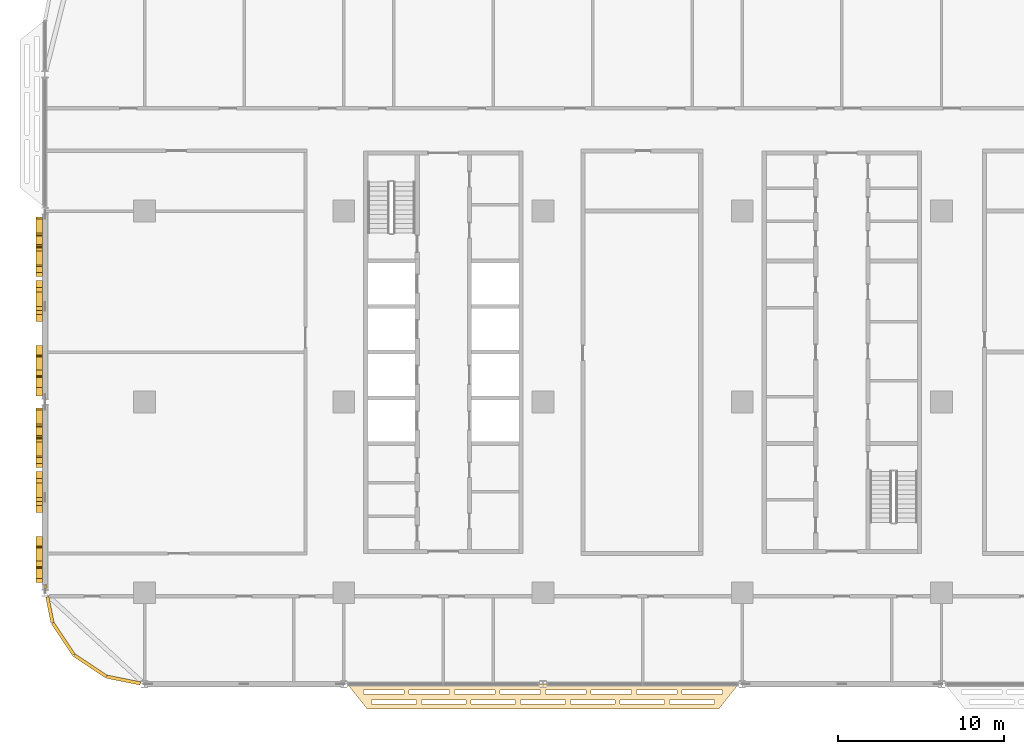
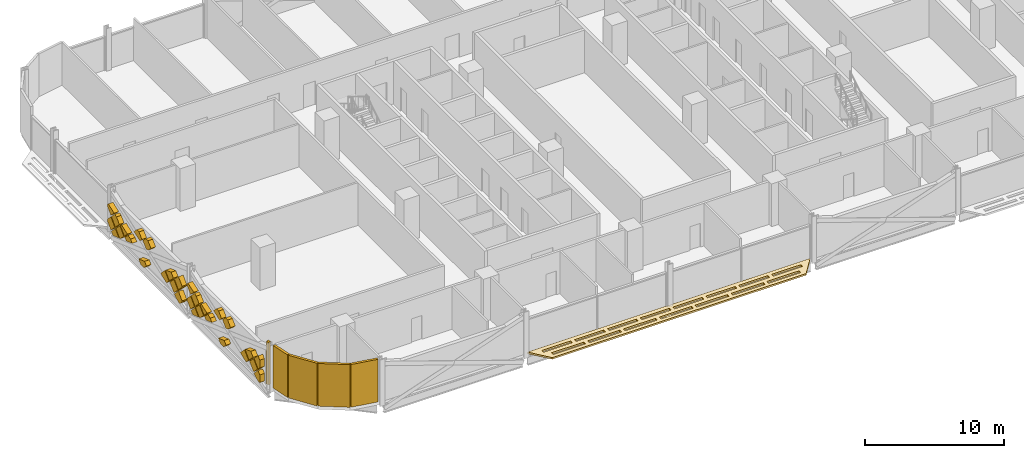
# One storey, part 25 of 29: 36 coverings.
"""IFC4 building model written with IfcOpenShell, lengths in metres."""

from ifc_helpers import new_model, si_unit, direction, frame, origin, origin_2d, place, context, subcontext, project, spatial, polyline, rectangle, outline, extrude, material, layer, layer_set, type_object, element, save


model = new_model("IFC4")

# Units and contexts
model_context = context("Model", 3, precision=1e-05, world=origin(), true_north=direction((0.0, 1.0)))
body_context = subcontext(model_context, "Body", "Model", "MODEL_VIEW")
ifc_project = project(units=[si_unit("LENGTHUNIT", "METRE"), si_unit("AREAUNIT", "SQUARE_METRE"), si_unit("VOLUMEUNIT", "CUBIC_METRE"), si_unit("PLANEANGLEUNIT", "RADIAN"), si_unit("MASSUNIT", "GRAM", prefix="KILO")], contexts=[model_context])

# Site, building, storey
site_placement = place(None, origin())
site = spatial("IfcSite", under=ifc_project, at=site_placement, CompositionType="ELEMENT")
building_placement = place(site_placement, origin())
building = spatial("IfcBuilding", under=site, at=building_placement, Name="Mahtab Terrace Research Tower", CompositionType="ELEMENT")
storey_placement = place(building_placement, frame((0.0, 0.0, 142.5)))
storey = spatial("IfcBuildingStorey", under=building, at=storey_placement, Name="L33", CompositionType="ELEMENT", Elevation=142.5)

# Coverings
ifc_material_1 = material(Name="Black aluminium cladding panel", Category="aluminium")
ifc_layer_1 = layer(ifc_material_1, 0.199951171875)
ifc_layer_set_1 = layer_set([ifc_layer_1], Name="Black metal corner cladding 200")
covering_type_1 = type_object("IfcCoveringType", Name="Black metal corner cladding 200", PredefinedType="CLADDING", material=ifc_layer_set_1)
covering_1_placement = place(storey_placement, frame((-47.97607421875, -11.11962890625, 0.0), z_axis=(0.0, 0.0, 1.0), x_axis=(0.195212442692, -0.980760981187, 0.0)))
element("IfcCovering", 1, at=covering_1_placement, inside=storey, type_object=covering_type_1, Name="Corner cladding L33 19", PredefinedType="CLADDING", context=body_context, shape_type="SweptSolid", body=[
    extrude(rectangle(XDim=0.22412109375, YDim=0.199951171875, at=origin_2d()), origin(), (0.0, 0.0, 1.0), 3.760009765625),
])
covering_2_placement = place(storey_placement, frame((-47.700439453125, -12.50439453125, 0.0), z_axis=(0.0, 0.0, 1.0), x_axis=(0.195212442692, -0.980760981187, 0.0)))
element("IfcCovering", 2, at=covering_2_placement, inside=storey, type_object=covering_type_1, Name="Corner cladding L33 20", PredefinedType="CLADDING", context=body_context, shape_type="SweptSolid", body=[
    extrude(rectangle(XDim=1.574462890625, YDim=0.199951171875, at=origin_2d()), origin(), (0.0, 0.0, 1.0), 3.760009765625),
])
for number, where, z_axis, x_axis, name in (
    (3, (-46.89306640625, -14.26953125, 0.0), (0.0, 0.0, 1.0), (0.555291490808, -0.831655794326, 0.0), "Corner cladding L33 21"),
    (4, (-45.26953125, -15.89306640625, 0.0), (0.0, 0.0, 1.0), (0.831655794326, -0.555291490808, 0.0), "Corner cladding L33 22"),
):
    element("IfcCovering", number, at=place(storey_placement, frame(where, z_axis=z_axis, x_axis=x_axis)), inside=storey, type_object=covering_type_1, Name=name, PredefinedType="CLADDING", context=body_context, shape_type="SweptSolid", body=[
        extrude(rectangle(XDim=2.30126953125, YDim=0.199951171875, at=origin_2d()), origin(), (0.0, 0.0, 1.0), 3.760009765625),
    ])
covering_3_placement = place(storey_placement, frame((-43.263916015625, -16.74853515625, 0.0), z_axis=(0.0, 0.0, 1.0), x_axis=(0.980760981187, -0.195212442692, 0.0)))
element("IfcCovering", 5, at=covering_3_placement, inside=storey, type_object=covering_type_1, Name="Corner cladding L33 23", PredefinedType="CLADDING", context=body_context, shape_type="SweptSolid", body=[
    extrude(rectangle(XDim=2.064697265625, YDim=0.199951171875, at=origin_2d()), origin(), (0.0, 0.0, 1.0), 3.760009765625),
])
ifc_material_2 = material(Name="Black anodised aluminium", Category="aluminium")
ifc_layer_2 = layer(ifc_material_2, 0.14990234375)
ifc_layer_set_2 = layer_set([ifc_layer_2], Name="Horizontal sunshade band")
covering_type_2 = type_object("IfcCoveringType", Name="Horizontal sunshade band", PredefinedType="CLADDING", material=ifc_layer_set_2)
covering_4_placement = place(storey_placement, frame((0.0, 0.0, -0.14990234375)))
element("IfcCovering", 6, at=covering_4_placement, inside=storey, type_object=covering_type_2, Name="Sunshade band L33 25", PredefinedType="CLADDING", context=body_context, shape_type="SweptSolid", body=[
    extrude(outline(polyline([(-29.781982421875, -17.0), (-6.218017578125, -17.0), (-7.41796875, -18.5), (-28.58203125, -18.5), (-29.781982421875, -17.0)]), holes=[polyline([(-28.802001953125, -17.35009765625), (-26.364013671875, -17.35009765625), (-26.364013671875, -17.60009765625), (-28.802001953125, -17.60009765625), (-28.802001953125, -17.35009765625)]), polyline([(-26.06396484375, -17.35009765625), (-23.6259765625, -17.35009765625), (-23.6259765625, -17.60009765625), (-26.06396484375, -17.60009765625), (-26.06396484375, -17.35009765625)]), polyline([(-23.325927734375, -17.35009765625), (-20.887939453125, -17.35009765625), (-20.887939453125, -17.60009765625), (-23.325927734375, -17.60009765625), (-23.325927734375, -17.35009765625)]), polyline([(-20.587890625, -17.35009765625), (-18.14990234375, -17.35009765625), (-18.14990234375, -17.60009765625), (-20.587890625, -17.60009765625), (-20.587890625, -17.35009765625)]), polyline([(-17.85009765625, -17.35009765625), (-15.412109375, -17.35009765625), (-15.412109375, -17.60009765625), (-17.85009765625, -17.60009765625), (-17.85009765625, -17.35009765625)]), polyline([(-15.112060546875, -17.35009765625), (-12.674072265625, -17.35009765625), (-12.674072265625, -17.60009765625), (-15.112060546875, -17.60009765625), (-15.112060546875, -17.35009765625)]), polyline([(-12.3740234375, -17.35009765625), (-9.93603515625, -17.35009765625), (-9.93603515625, -17.60009765625), (-12.3740234375, -17.60009765625), (-12.3740234375, -17.35009765625)]), polyline([(-9.635986328125, -17.35009765625), (-7.197998046875, -17.35009765625), (-7.197998046875, -17.60009765625), (-9.635986328125, -17.60009765625), (-9.635986328125, -17.35009765625)]), polyline([(-28.322021484375, -17.949951171875), (-25.6298828125, -17.949951171875), (-25.6298828125, -18.199951171875), (-28.322021484375, -18.199951171875), (-28.322021484375, -17.949951171875)]), polyline([(-25.330078125, -17.949951171875), (-22.637939453125, -17.949951171875), (-22.637939453125, -18.199951171875), (-25.330078125, -18.199951171875), (-25.330078125, -17.949951171875)]), polyline([(-22.337890625, -17.949951171875), (-19.64599609375, -17.949951171875), (-19.64599609375, -18.199951171875), (-22.337890625, -18.199951171875), (-22.337890625, -17.949951171875)]), polyline([(-19.345947265625, -17.949951171875), (-16.654052734375, -17.949951171875), (-16.654052734375, -18.199951171875), (-19.345947265625, -18.199951171875), (-19.345947265625, -17.949951171875)]), polyline([(-16.35400390625, -17.949951171875), (-13.662109375, -17.949951171875), (-13.662109375, -18.199951171875), (-16.35400390625, -18.199951171875), (-16.35400390625, -17.949951171875)]), polyline([(-13.362060546875, -17.949951171875), (-10.669921875, -17.949951171875), (-10.669921875, -18.199951171875), (-13.362060546875, -18.199951171875), (-13.362060546875, -17.949951171875)]), polyline([(-10.3701171875, -17.949951171875), (-7.677978515625, -17.949951171875), (-7.677978515625, -18.199951171875), (-10.3701171875, -18.199951171875), (-10.3701171875, -17.949951171875)])]), origin(), (0.0, 0.0, 1.0), 0.14990234375),
])
ifc_material_3 = material(Name="Bronze anodised aluminium", Category="aluminium")
ifc_layer_3 = layer(ifc_material_3, 0.39990234375)
ifc_layer_set_3 = layer_set([ifc_layer_3], Name="Mashrabiya relief panel 400")
covering_type_3 = type_object("IfcCoveringType", Name="Mashrabiya relief panel 400", PredefinedType="CLADDING", material=ifc_layer_set_3)
covering_5_placement = place(storey_placement, frame((-48.14990234375, 10.632080078125, 1.72998046875), z_axis=(1.0, 0.0, 0.0), x_axis=(0.0, -0.707106781187, -0.707106781187)))
element("IfcCovering", 7, at=covering_5_placement, inside=storey, type_object=covering_type_3, Name="Mashrabiya lattice cell L33 W17.1", PredefinedType="CLADDING", context=body_context, shape_type="SweptSolid", body=[
    extrude(outline(polyline([(0.0, 0.0), (0.8203543516109556, 0.0), (0.820181718119455, 0.820181718119455), (0.0920136509698315, 0.820181718119455), (0.0, 0.7281680671496235), (0.0, 0.0)])), origin(), (0.0, 0.0, -1.0), 0.39990234375),
])
covering_6_placement = place(storey_placement, frame((-48.14990234375, 10.632080078125, 1.8701171875), z_axis=(1.0, 0.0, 0.0), x_axis=(0.0, 0.707106781187, 0.707106781187)))
element("IfcCovering", 8, at=covering_6_placement, inside=storey, type_object=covering_type_3, Name="Mashrabiya lattice cell L33 W17.2", PredefinedType="CLADDING", context=body_context, shape_type="SweptSolid", body=[
    extrude(outline(polyline([(0.0, 0.0), (0.7281680671496235, 0.0), (0.8200090846279544, 0.0918410174783309), (0.820181718119455, 0.27155248213047833), (-0.0001726334915006511, 0.660323104989879), (0.0, 0.0)])), origin(), (0.0, 0.0, -1.0), 0.39990234375),
])
covering_7_placement = place(storey_placement, frame((-48.14990234375, 10.56201171875, 0.5), z_axis=(1.0, 0.0, 0.0), x_axis=(0.0, -0.707106781187, 0.707106781187)))
element("IfcCovering", 9, at=covering_7_placement, inside=storey, type_object=covering_type_3, Name="Mashrabiya lattice cell L33 W17.3", PredefinedType="CLADDING", context=body_context, shape_type="SweptSolid", body=[
    extrude(outline(polyline([(0.0, 0.0), (0.8203543516109556, 0.0), (0.8201817181194551, 0.718327958134088), (0.0, 0.3293847017831867), (0.0, 0.0)])), origin(), (0.0, 0.0, -1.0), 0.39990234375),
])
covering_8_placement = place(storey_placement, frame((-48.14990234375, 9.402099609375, 1.800048828125), z_axis=(1.0, 0.0, 0.0), x_axis=(0.0, 0.706957932274, -0.707255598772)))
element("IfcCovering", 10, at=covering_8_placement, inside=storey, type_object=covering_type_3, Name="Mashrabiya lattice cell L33 W17.4", PredefinedType="CLADDING", context=body_context, shape_type="SweptSolid", body=[
    extrude(outline(polyline([(0.0, 0.0), (0.8201817362875763, 0.0), (0.8200090664636573, 0.8203543334390104), (0.11152123303905742, 0.8202052095001713), (-0.0001228891718211278, 0.583846455322124), (0.0, 0.0)])), origin(), (0.0, 0.0, -1.0), 0.39990234375),
])
covering_9_placement = place(storey_placement, frame((-48.14990234375, 9.912109375, 1.14990234375), z_axis=(1.0, 0.0, 0.0), x_axis=(0.0, -0.707106781187, 0.707106781187)))
element("IfcCovering", 11, at=covering_9_placement, inside=storey, type_object=covering_type_3, Name="Mashrabiya lattice cell L33 W17.5", PredefinedType="CLADDING", context=body_context, shape_type="SweptSolid", body=[
    extrude(outline(polyline([(0.0, 0.0), (0.8203543516109556, 0.0), (0.8203543516109556, 0.8203543516109556), (0.11618233977991854, 0.820181718119455), (0.0, 0.7651116343307566), (0.0, 0.0)])), origin(), (0.0, 0.0, -1.0), 0.39990234375),
])
covering_10_placement = place(storey_placement, frame((-48.14990234375, 8.681884765625, 1.219970703125), z_axis=(1.0, 0.0, 0.0), x_axis=(0.0, 0.707106781187, 0.707106781187)))
element("IfcCovering", 12, at=covering_10_placement, inside=storey, type_object=covering_type_3, Name="Mashrabiya lattice cell L33 W17.6", PredefinedType="CLADDING", context=body_context, shape_type="SweptSolid", body=[
    extrude(outline(polyline([(0.0, 0.0), (0.8203543516109556, 0.0), (0.8203543516109557, 0.22476880593380982), (0.0001726334915006511, 0.6137120622847111), (0.0, 0.0)])), origin(), (0.0, 0.0, -1.0), 0.39990234375),
])
covering_11_placement = place(storey_placement, frame((-48.14990234375, 8.612060546875, 1.14990234375), z_axis=(1.0, 0.0, 0.0), x_axis=(0.0, -0.707106781187, 0.707106781187)))
element("IfcCovering", 13, at=covering_11_placement, inside=storey, type_object=covering_type_3, Name="Mashrabiya lattice cell L33 W17.7", PredefinedType="CLADDING", context=body_context, shape_type="SweptSolid", body=[
    extrude(outline(polyline([(0.0, 0.0), (0.6604957384813797, 0.0), (0.8203543516109556, 0.3366353084262129), (0.8203543516109556, 0.6718895489204207), (0.0, 0.28277365907801877), (0.0, 0.0)])), origin(), (0.0, 0.0, -1.0), 0.39990234375),
])
covering_12_placement = place(storey_placement, frame((-48.14990234375, 6.152099609375, 2.449951171875), z_axis=(1.0, 0.0, 0.0), x_axis=(0.0, 0.706818929897, -0.707394515345)))
element("IfcCovering", 14, at=covering_12_placement, inside=storey, type_object=covering_type_3, Name="Mashrabiya lattice cell L33 W17.8", PredefinedType="CLADDING", context=body_context, shape_type="SweptSolid", body=[
    extrude(outline(polyline([(0.0, 0.0), (0.42416052374797736, 0.0), (0.8125972298802487, 0.8205125134540173), (0.22875080998202785, 0.820274887723493), (-0.00024057673013461178, 0.591097025940718), (0.0, 0.0)])), origin(), (0.0, 0.0, -1.0), 0.39990234375),
])
covering_13_placement = place(storey_placement, frame((-48.14990234375, 6.616943359375, 0.455078125), z_axis=(1.0, 0.0, 0.0), x_axis=(0.0, -0.942348475632, 0.334633158061)))
element("IfcCovering", 15, at=covering_13_placement, inside=storey, type_object=covering_type_3, Name="Mashrabiya lattice cell L33 W17.9", PredefinedType="CLADDING", context=body_context, shape_type="SweptSolid", body=[
    extrude(outline(polyline([(0.0, 0.0), (0.9083232513066526, 0.0), (1.0657416966052107, 0.33078064290731984), (0.5996558708309948, 0.5525907991008585), (0.19428037911621765, 0.4086397188998039), (0.0, 0.0)])), origin(), (0.0, 0.0, -1.0), 0.39990234375),
])
covering_14_placement = place(storey_placement, frame((-48.14990234375, 6.011962890625, 2.449951171875), z_axis=(1.0, 0.0, 0.0), x_axis=(0.0, -0.707106781187, 0.707106781187)))
element("IfcCovering", 16, at=covering_14_placement, inside=storey, type_object=covering_type_3, Name="Mashrabiya lattice cell L33 W17.10", PredefinedType="CLADDING", context=body_context, shape_type="SweptSolid", body=[
    extrude(outline(polyline([(0.0, 0.0), (0.5910970748981296, 0.0), (0.8201817181194548, 0.22908464322132532), (0.820181718119455, 0.820181718119455), (0.3140203210396314, 0.820181718119455), (0.0, 0.6715442819374194), (0.0, 0.0)])), origin(), (0.0, 0.0, -1.0), 0.39990234375),
])
covering_15_placement = place(storey_placement, frame((-48.14990234375, 3.412109375, 1.14990234375), z_axis=(1.0, 0.0, 0.0), x_axis=(0.0, -0.707106781187, 0.707106781187)))
element("IfcCovering", 17, at=covering_15_placement, inside=storey, type_object=covering_type_3, Name="Mashrabiya lattice cell L33 W17.11", PredefinedType="CLADDING", context=body_context, shape_type="SweptSolid", body=[
    extrude(outline(polyline([(0.0, 0.0), (0.8203543516109556, 0.0), (0.8203543516109556, 0.8203543516109556), (0.3014180761600859, 0.8203543516109555), (0.00017263349150062335, 0.18523573638016738), (0.0, 0.0)])), origin(), (0.0, 0.0, -1.0), 0.39990234375),
])
covering_16_placement = place(storey_placement, frame((-48.14990234375, 1.60205078125, 1.800048828125), z_axis=(1.0, 0.0, 0.0), x_axis=(0.0, 0.706957932274, -0.707255598772)))
element("IfcCovering", 18, at=covering_16_placement, inside=storey, type_object=covering_type_3, Name="Mashrabiya lattice cell L33 W17.12", PredefinedType="CLADDING", context=body_context, shape_type="SweptSolid", body=[
    extrude(outline(polyline([(0.0, 0.0), (0.8201817362875763, 0.0), (0.8200090664636573, 0.8203543334390104), (0.7564799429986835, 0.8203409617018046), (-9.701776722720323e-05, 0.4609314120964137), (0.0, 0.0)])), origin(), (0.0, 0.0, -1.0), 0.39990234375),
])
covering_17_placement = place(storey_placement, frame((-48.14990234375, 1.531982421875, 1.72998046875), z_axis=(1.0, 0.0, 0.0), x_axis=(0.0, -0.707106781187, -0.707106781187)))
element("IfcCovering", 19, at=covering_17_placement, inside=storey, type_object=covering_type_3, Name="Mashrabiya lattice cell L33 W17.13", PredefinedType="CLADDING", context=body_context, shape_type="SweptSolid", body=[
    extrude(outline(polyline([(0.0, 0.0), (0.8203543516109556, 0.0), (0.820181718119455, 0.820181718119455), (0.0, 0.8203543516109556), (0.0, 0.0)])), origin(), (0.0, 0.0, -1.0), 0.39990234375),
])
covering_18_placement = place(storey_placement, frame((-48.14990234375, 1.4619140625, 0.5), z_axis=(1.0, 0.0, 0.0), x_axis=(0.0, -0.706957932274, 0.707255598772)))
element("IfcCovering", 20, at=covering_18_placement, inside=storey, type_object=covering_type_3, Name="Mashrabiya lattice cell L33 W17.14", PredefinedType="CLADDING", context=body_context, shape_type="SweptSolid", body=[
    extrude(outline(polyline([(0.0, 0.0), (0.8201817362875763, 0.0), (0.8200242550129835, 0.7481935355902086), (0.7478482686148555, 0.8203391448896843), (0.3038349383107446, 0.8202456880742129), (0.20907910217339504, 0.7254499547427002), (-5.98094550022521e-05, 0.28415472071561687), (0.0, 0.0)])), origin(), (0.0, 0.0, -1.0), 0.39990234375),
])
covering_19_placement = place(storey_placement, frame((-48.14990234375, 0.882080078125, 1.219970703125), z_axis=(1.0, 0.0, 0.0), x_axis=(0.0, 0.706957932274, 0.707255598772)))
element("IfcCovering", 21, at=covering_19_placement, inside=storey, type_object=covering_type_3, Name="Mashrabiya lattice cell L33 W17.15", PredefinedType="CLADDING", context=body_context, shape_type="SweptSolid", body=[
    extrude(outline(polyline([(0.0, 0.0), (0.8201817362875763, 0.0), (0.8203543334390104, 0.8200090664636573), (0.07233346767272081, 0.8203391448896843), (0.0001574812745928078, 0.7481935355902086), (0.0, 0.0)])), origin(), (0.0, 0.0, -1.0), 0.39990234375),
])
covering_20_placement = place(storey_placement, frame((-48.14990234375, -0.867919921875, 1.72998046875), z_axis=(1.0, 0.0, 0.0), x_axis=(0.0, -0.707106781187, -0.707106781187)))
element("IfcCovering", 22, at=covering_20_placement, inside=storey, type_object=covering_type_3, Name="Mashrabiya lattice cell L33 W18.1", PredefinedType="CLADDING", context=body_context, shape_type="SweptSolid", body=[
    extrude(outline(polyline([(0.0, 0.0), (0.8203543516109556, 0.0), (0.820181718119455, 0.820181718119455), (0.0920136509698315, 0.820181718119455), (0.0, 0.7281680671496235), (0.0, 0.0)])), origin(), (0.0, 0.0, -1.0), 0.39990234375),
])
covering_21_placement = place(storey_placement, frame((-48.14990234375, -0.867919921875, 1.8701171875), z_axis=(1.0, 0.0, 0.0), x_axis=(0.0, 0.707106781187, 0.707106781187)))
element("IfcCovering", 23, at=covering_21_placement, inside=storey, type_object=covering_type_3, Name="Mashrabiya lattice cell L33 W18.2", PredefinedType="CLADDING", context=body_context, shape_type="SweptSolid", body=[
    extrude(outline(polyline([(0.0, 0.0), (0.7281680671496235, 0.0), (0.8200090846279544, 0.0918410174783309), (0.820181718119455, 0.27155248213047833), (-0.0001726334915006511, 0.660323104989879), (0.0, 0.0)])), origin(), (0.0, 0.0, -1.0), 0.39990234375),
])
covering_22_placement = place(storey_placement, frame((-48.14990234375, -0.93798828125, 0.5), z_axis=(1.0, 0.0, 0.0), x_axis=(0.0, -0.707106781187, 0.707106781187)))
element("IfcCovering", 24, at=covering_22_placement, inside=storey, type_object=covering_type_3, Name="Mashrabiya lattice cell L33 W18.3", PredefinedType="CLADDING", context=body_context, shape_type="SweptSolid", body=[
    extrude(outline(polyline([(0.0, 0.0), (0.8203543516109556, 0.0), (0.8201817181194551, 0.718327958134088), (0.0, 0.3293847017831867), (0.0, 0.0)])), origin(), (0.0, 0.0, -1.0), 0.39990234375),
])
covering_23_placement = place(storey_placement, frame((-48.14990234375, -2.097900390625, 1.800048828125), z_axis=(1.0, 0.0, 0.0), x_axis=(0.0, 0.706957932274, -0.707255598772)))
element("IfcCovering", 25, at=covering_23_placement, inside=storey, type_object=covering_type_3, Name="Mashrabiya lattice cell L33 W18.4", PredefinedType="CLADDING", context=body_context, shape_type="SweptSolid", body=[
    extrude(outline(polyline([(0.0, 0.0), (0.8201817362875763, 0.0), (0.8200090664636573, 0.8203543334390104), (0.11152123303905742, 0.8202052095001713), (-0.0001228891718211278, 0.583846455322124), (0.0, 0.0)])), origin(), (0.0, 0.0, -1.0), 0.39990234375),
])
covering_24_placement = place(storey_placement, frame((-48.14990234375, -1.587890625, 1.14990234375), z_axis=(1.0, 0.0, 0.0), x_axis=(0.0, -0.707106781187, 0.707106781187)))
element("IfcCovering", 26, at=covering_24_placement, inside=storey, type_object=covering_type_3, Name="Mashrabiya lattice cell L33 W18.5", PredefinedType="CLADDING", context=body_context, shape_type="SweptSolid", body=[
    extrude(outline(polyline([(0.0, 0.0), (0.8203543516109556, 0.0), (0.8203543516109556, 0.8203543516109556), (0.11618233977991854, 0.820181718119455), (0.0, 0.7651116343307566), (0.0, 0.0)])), origin(), (0.0, 0.0, -1.0), 0.39990234375),
])
covering_25_placement = place(storey_placement, frame((-48.14990234375, -2.818115234375, 1.219970703125), z_axis=(1.0, 0.0, 0.0), x_axis=(0.0, 0.707106781187, 0.707106781187)))
element("IfcCovering", 27, at=covering_25_placement, inside=storey, type_object=covering_type_3, Name="Mashrabiya lattice cell L33 W18.6", PredefinedType="CLADDING", context=body_context, shape_type="SweptSolid", body=[
    extrude(outline(polyline([(0.0, 0.0), (0.8203543516109556, 0.0), (0.8203543516109557, 0.22476880593380982), (0.0001726334915006511, 0.6137120622847111), (0.0, 0.0)])), origin(), (0.0, 0.0, -1.0), 0.39990234375),
])
covering_26_placement = place(storey_placement, frame((-48.14990234375, -2.887939453125, 1.14990234375), z_axis=(1.0, 0.0, 0.0), x_axis=(0.0, -0.707106781187, 0.707106781187)))
element("IfcCovering", 28, at=covering_26_placement, inside=storey, type_object=covering_type_3, Name="Mashrabiya lattice cell L33 W18.7", PredefinedType="CLADDING", context=body_context, shape_type="SweptSolid", body=[
    extrude(outline(polyline([(0.0, 0.0), (0.6604957384813797, 0.0), (0.8203543516109556, 0.3366353084262129), (0.8203543516109556, 0.6718895489204207), (0.0, 0.28277365907801877), (0.0, 0.0)])), origin(), (0.0, 0.0, -1.0), 0.39990234375),
])
covering_27_placement = place(storey_placement, frame((-48.14990234375, -5.347900390625, 2.449951171875), z_axis=(1.0, 0.0, 0.0), x_axis=(0.0, 0.706818929897, -0.707394515345)))
element("IfcCovering", 29, at=covering_27_placement, inside=storey, type_object=covering_type_3, Name="Mashrabiya lattice cell L33 W18.8", PredefinedType="CLADDING", context=body_context, shape_type="SweptSolid", body=[
    extrude(outline(polyline([(0.0, 0.0), (0.42416052374797736, 0.0), (0.8125972298802487, 0.8205125134540173), (0.22875080998202785, 0.820274887723493), (-0.00024057673013461178, 0.591097025940718), (0.0, 0.0)])), origin(), (0.0, 0.0, -1.0), 0.39990234375),
])
covering_28_placement = place(storey_placement, frame((-48.14990234375, -4.883056640625, 0.455078125), z_axis=(1.0, 0.0, 0.0), x_axis=(0.0, -0.942348475632, 0.334633158061)))
element("IfcCovering", 30, at=covering_28_placement, inside=storey, type_object=covering_type_3, Name="Mashrabiya lattice cell L33 W18.9", PredefinedType="CLADDING", context=body_context, shape_type="SweptSolid", body=[
    extrude(outline(polyline([(0.0, 0.0), (0.9083232513066526, 0.0), (1.0657416966052107, 0.33078064290731984), (0.5996558708309948, 0.5525907991008585), (0.19428037911621765, 0.4086397188998039), (0.0, 0.0)])), origin(), (0.0, 0.0, -1.0), 0.39990234375),
])
covering_29_placement = place(storey_placement, frame((-48.14990234375, -5.488037109375, 2.449951171875), z_axis=(1.0, 0.0, 0.0), x_axis=(0.0, -0.707106781187, 0.707106781187)))
element("IfcCovering", 31, at=covering_29_placement, inside=storey, type_object=covering_type_3, Name="Mashrabiya lattice cell L33 W18.10", PredefinedType="CLADDING", context=body_context, shape_type="SweptSolid", body=[
    extrude(outline(polyline([(0.0, 0.0), (0.5910970748981296, 0.0), (0.8201817181194548, 0.22908464322132532), (0.820181718119455, 0.820181718119455), (0.3140203210396314, 0.820181718119455), (0.0, 0.6715442819374194), (0.0, 0.0)])), origin(), (0.0, 0.0, -1.0), 0.39990234375),
])
covering_30_placement = place(storey_placement, frame((-48.14990234375, -8.087890625, 1.14990234375), z_axis=(1.0, 0.0, 0.0), x_axis=(0.0, -0.707106781187, 0.707106781187)))
element("IfcCovering", 32, at=covering_30_placement, inside=storey, type_object=covering_type_3, Name="Mashrabiya lattice cell L33 W18.11", PredefinedType="CLADDING", context=body_context, shape_type="SweptSolid", body=[
    extrude(outline(polyline([(0.0, 0.0), (0.8203543516109556, 0.0), (0.8203543516109556, 0.8203543516109556), (0.3014180761600859, 0.8203543516109555), (0.00017263349150062335, 0.18523573638016738), (0.0, 0.0)])), origin(), (0.0, 0.0, -1.0), 0.39990234375),
])
covering_31_placement = place(storey_placement, frame((-48.14990234375, -9.89794921875, 1.800048828125), z_axis=(1.0, 0.0, 0.0), x_axis=(0.0, 0.706957932274, -0.707255598772)))
element("IfcCovering", 33, at=covering_31_placement, inside=storey, type_object=covering_type_3, Name="Mashrabiya lattice cell L33 W18.12", PredefinedType="CLADDING", context=body_context, shape_type="SweptSolid", body=[
    extrude(outline(polyline([(0.0, 0.0), (0.8201817362875763, 0.0), (0.8200090664636573, 0.8203543334390104), (0.7564799429986835, 0.8203409617018046), (-9.701776722720323e-05, 0.4609314120964137), (0.0, 0.0)])), origin(), (0.0, 0.0, -1.0), 0.39990234375),
])
covering_32_placement = place(storey_placement, frame((-48.14990234375, -9.968017578125, 1.72998046875), z_axis=(1.0, 0.0, 0.0), x_axis=(0.0, -0.707106781187, -0.707106781187)))
element("IfcCovering", 34, at=covering_32_placement, inside=storey, type_object=covering_type_3, Name="Mashrabiya lattice cell L33 W18.13", PredefinedType="CLADDING", context=body_context, shape_type="SweptSolid", body=[
    extrude(outline(polyline([(0.0, 0.0), (0.8203543516109556, 0.0), (0.820181718119455, 0.820181718119455), (0.0, 0.8203543516109556), (0.0, 0.0)])), origin(), (0.0, 0.0, -1.0), 0.39990234375),
])
covering_33_placement = place(storey_placement, frame((-48.14990234375, -10.0380859375, 0.5), z_axis=(1.0, 0.0, 0.0), x_axis=(0.0, -0.706957932274, 0.707255598772)))
element("IfcCovering", 35, at=covering_33_placement, inside=storey, type_object=covering_type_3, Name="Mashrabiya lattice cell L33 W18.14", PredefinedType="CLADDING", context=body_context, shape_type="SweptSolid", body=[
    extrude(outline(polyline([(0.0, 0.0), (0.8201817362875763, 0.0), (0.8201081917329441, 0.3494101790573563), (0.3490649120820032, 0.8202552081697236), (0.3038349383107446, 0.8202456880742129), (0.20907910217339504, 0.7254499547427002), (-5.98094550022521e-05, 0.28415472071561687), (0.0, 0.0)])), origin(), (0.0, 0.0, -1.0), 0.39990234375),
])
covering_34_placement = place(storey_placement, frame((-48.14990234375, -10.617919921875, 1.219970703125), z_axis=(1.0, 0.0, 0.0), x_axis=(0.0, 0.706957932274, 0.707255598772)))
element("IfcCovering", 36, at=covering_34_placement, inside=storey, type_object=covering_type_3, Name="Mashrabiya lattice cell L33 W18.15", PredefinedType="CLADDING", context=body_context, shape_type="SweptSolid", body=[
    extrude(outline(polyline([(0.0, 0.0), (0.8201817362875763, 0.0), (0.8203543334390104, 0.8200090664636573), (0.4711168242055731, 0.8202552081697236), (7.354455463215448e-05, 0.34941017905735633), (0.0, 0.0)])), origin(), (0.0, 0.0, -1.0), 0.39990234375),
])

save(model, "model.ifc")
